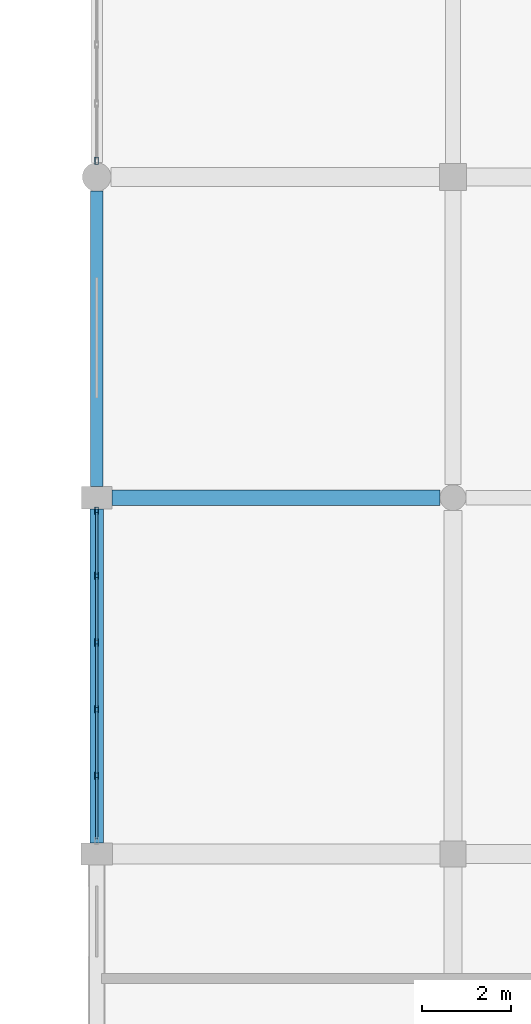
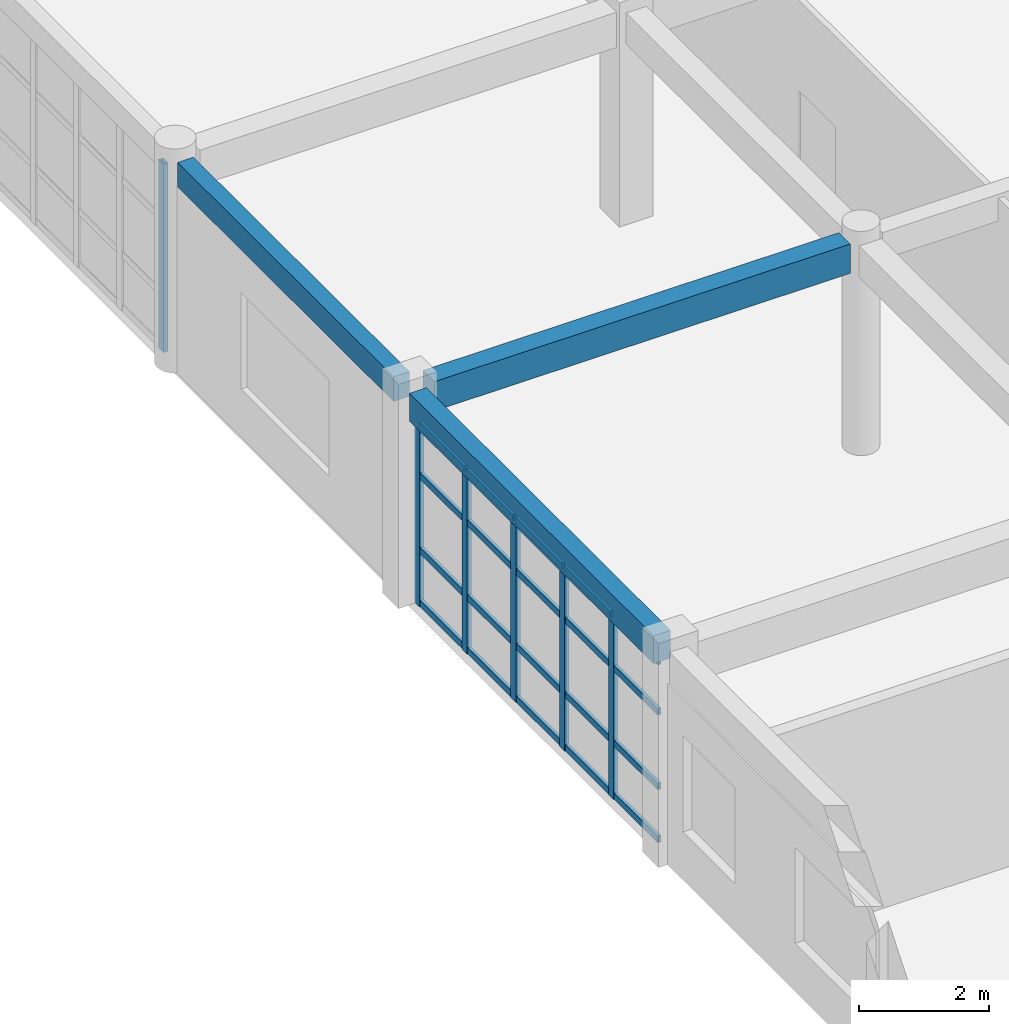
# One storey, part 24 of 53: 26 members, 3 beams, 2 elements without a shape of their own.
"""IFC4 building model written with IfcOpenShell, lengths in metres."""

from ifc_helpers import new_model, si_unit, direction, frame, origin, origin_2d, place, context, subcontext, project, spatial, rectangle, hollow_rectangle, extrude, material, material_profile, profile_set, type_object, element, aggregate, save


model = new_model("IFC4")

# Units and contexts
model_context = context("Model", 3, precision=1e-05, world=origin(), true_north=direction((0.0, 1.0)))
body_context = subcontext(model_context, "Body", "Model", "MODEL_VIEW")
ifc_project = project(units=[si_unit("LENGTHUNIT", "METRE"), si_unit("AREAUNIT", "SQUARE_METRE"), si_unit("VOLUMEUNIT", "CUBIC_METRE"), si_unit("PLANEANGLEUNIT", "RADIAN"), si_unit("MASSUNIT", "GRAM", prefix="KILO")], contexts=[model_context])

# Site, building, storey
site_placement = place(None, origin())
site = spatial("IfcSite", under=ifc_project, at=site_placement, CompositionType="ELEMENT")
building_placement = place(site_placement, origin())
building = spatial("IfcBuilding", under=site, at=building_placement, Name="Kharva Crest Polytechnic", CompositionType="ELEMENT")
storey_placement = place(building_placement, frame((0.0, 0.0, 17.39990234375)))
storey = spatial("IfcBuildingStorey", under=building, at=storey_placement, Name="L04", CompositionType="ELEMENT", Elevation=17.39990234375)

# Beam
ifc_material_1 = material(Name="Concrete C35/45", Category="concrete")
ifc_material_profile_1 = material_profile(ifc_material_1, rectangle(XDim=0.35009765625, YDim=0.550048828125, at=origin_2d()), Name="RECT 350 X 550")
ifc_profile_set_1 = profile_set([ifc_material_profile_1], Name="Concrete C35/45")
beam_type_1 = type_object("IfcBeamType", Name="BM-RC-350X550", PredefinedType="BEAM", material=ifc_profile_set_1)
beam_1_placement = place(storey_placement, frame((153.139892578125, 78.800048828125, 3.695068359375), z_axis=(1.0, 0.0, 0.0), x_axis=(0.0, 1.0, 0.0)))
element("IfcBeam", 1, at=beam_1_placement, inside=storey, type_object=beam_type_1, Name="L04 Beam L/20-21", PredefinedType="BEAM", context=body_context, shape_type="SweptSolid", body=[
    extrude(rectangle(XDim=0.35009765625, YDim=0.550048828125, at=origin_2d()), origin(), (0.0, 0.0, 1.0), 7.3701171875),
])

# Curtain wall, member
ifc_material_2 = material(Name="Tempered insulated glass", Category="glass")
curtain_wall_type = type_object("IfcCurtainWallType", Name="CW-SYS-STUDIO", PredefinedType="USERDEFINED", material=ifc_material_2)
curtain_wall_1_placement = place(storey_placement, origin())
curtain_wall_1 = element("IfcCurtainWall", 2, at=curtain_wall_1_placement, inside=storey, type_object=curtain_wall_type, Name="L04 Glazed Curtain Wall CW-182", ObjectType="CURTAIN WALL", PredefinedType="USERDEFINED")
ifc_material_3 = material(Name="Steel S355", Category="steel")
ifc_material_profile_2 = material_profile(ifc_material_3, hollow_rectangle(XDim=0.080078125, YDim=0.159912109375, WallThickness=0.0048828125, at=origin_2d()), Name="RHS 160X80X5.0")
ifc_profile_set_2 = profile_set([ifc_material_profile_2], Name="Steel S355")
member_type_1 = type_object("IfcMemberType", Name="CWM-RHS160X80", PredefinedType="MULLION", material=ifc_profile_set_2)
member_1_placement = place(storey_placement, frame((152.800048828125, 86.364990234375, 0.0), z_axis=(0.0, 0.0, 1.0), x_axis=(1.0, 0.0, 0.0)))
member_1 = element("IfcMember", 3, at=member_1_placement, type_object=member_type_1, Name="CW-182 mullion 6", PredefinedType="MULLION", context=body_context, shape_type="SweptSolid", body=[
    extrude(hollow_rectangle(XDim=0.080078125, YDim=0.159912109375, WallThickness=0.0048828125, at=origin_2d()), origin(), (0.0, 0.0, 1.0), 3.530029296875),
])
aggregate(curtain_wall_1, [member_1])

# Curtain wall, members
curtain_wall_2_placement = place(storey_placement, origin())
curtain_wall_2 = element("IfcCurtainWall", 4, at=curtain_wall_2_placement, inside=storey, type_object=curtain_wall_type, Name="L04 Glazed Curtain Wall CW-183", ObjectType="CURTAIN WALL", PredefinedType="USERDEFINED")
member_2_placement = place(storey_placement, frame((152.800048828125, 78.5048828125, 0.0), z_axis=(0.0, 0.0, 1.0), x_axis=(1.0, 0.0, 0.0)))
member_2 = element("IfcMember", 5, at=member_2_placement, type_object=member_type_1, Name="CW-183 mullion 1", PredefinedType="MULLION", context=body_context, shape_type="SweptSolid", body=[
    extrude(hollow_rectangle(XDim=0.080078125, YDim=0.159912109375, WallThickness=0.0048828125, at=origin_2d()), origin(), (0.0, 0.0, 1.0), 3.4501953125),
])
member_3_placement = place(storey_placement, frame((152.800048828125, 77.047119140625, 0.0), z_axis=(0.0, 0.0, 1.0), x_axis=(1.0, 0.0, 0.0)))
member_3 = element("IfcMember", 6, at=member_3_placement, type_object=member_type_1, Name="CW-183 mullion 2", PredefinedType="MULLION", context=body_context, shape_type="SweptSolid", body=[
    extrude(hollow_rectangle(XDim=0.080078125, YDim=0.159912109375, WallThickness=0.0048828125, at=origin_2d()), origin(), (0.0, 0.0, 1.0), 3.4501953125),
])
member_4_placement = place(storey_placement, frame((152.800048828125, 75.549072265625, 0.0), z_axis=(0.0, 0.0, 1.0), x_axis=(1.0, 0.0, 0.0)))
member_4 = element("IfcMember", 7, at=member_4_placement, type_object=member_type_1, Name="CW-183 mullion 3", PredefinedType="MULLION", context=body_context, shape_type="SweptSolid", body=[
    extrude(hollow_rectangle(XDim=0.080078125, YDim=0.159912109375, WallThickness=0.0048828125, at=origin_2d()), origin(), (0.0, 0.0, 1.0), 3.4501953125),
])
member_5_placement = place(storey_placement, frame((152.800048828125, 74.051025390625, 0.0), z_axis=(0.0, 0.0, 1.0), x_axis=(1.0, 0.0, 0.0)))
member_5 = element("IfcMember", 8, at=member_5_placement, type_object=member_type_1, Name="CW-183 mullion 4", PredefinedType="MULLION", context=body_context, shape_type="SweptSolid", body=[
    extrude(hollow_rectangle(XDim=0.080078125, YDim=0.159912109375, WallThickness=0.0048828125, at=origin_2d()), origin(), (0.0, 0.0, 1.0), 3.4501953125),
])
member_6_placement = place(storey_placement, frame((152.800048828125, 72.552978515625, 0.0), z_axis=(0.0, 0.0, 1.0), x_axis=(1.0, 0.0, 0.0)))
member_6 = element("IfcMember", 9, at=member_6_placement, type_object=member_type_1, Name="CW-183 mullion 5", PredefinedType="MULLION", context=body_context, shape_type="SweptSolid", body=[
    extrude(hollow_rectangle(XDim=0.080078125, YDim=0.159912109375, WallThickness=0.0048828125, at=origin_2d()), origin(), (0.0, 0.0, 1.0), 3.4501953125),
])
ifc_material_profile_3 = material_profile(ifc_material_3, hollow_rectangle(XDim=0.06005859375, YDim=0.1201171875, WallThickness=0.00390625, at=origin_2d()), Name="RHS 120X60X4.0")
ifc_profile_set_3 = profile_set([ifc_material_profile_3], Name="Steel S355")
member_type_2 = type_object("IfcMemberType", Name="CWT-RHS120X60", PredefinedType="USERDEFINED", material=ifc_profile_set_3)
member_7_placement = place(storey_placement, frame((152.800048828125, 78.465087890625, 0.06005859375), z_axis=(0.0, -1.0, 0.0), x_axis=(1.0, 0.0, 0.0)))
member_7 = element("IfcMember", 10, at=member_7_placement, type_object=member_type_2, Name="CW-183 transom 1.1", ObjectType="TRANSOM", PredefinedType="USERDEFINED", context=body_context, shape_type="SweptSolid", body=[
    extrude(hollow_rectangle(XDim=0.06005859375, YDim=0.1201171875, WallThickness=0.00390625, at=origin_2d()), origin(), (0.0, 0.0, 1.0), 1.378173828125),
])
member_8_placement = place(storey_placement, frame((152.800048828125, 78.465087890625, 1.050048828125), z_axis=(0.0, -1.0, 0.0), x_axis=(1.0, 0.0, 0.0)))
member_8 = element("IfcMember", 11, at=member_8_placement, type_object=member_type_2, Name="CW-183 transom 1.2", ObjectType="TRANSOM", PredefinedType="USERDEFINED", context=body_context, shape_type="SweptSolid", body=[
    extrude(hollow_rectangle(XDim=0.06005859375, YDim=0.1201171875, WallThickness=0.00390625, at=origin_2d()), origin(), (0.0, 0.0, 1.0), 1.378173828125),
])
member_9_placement = place(storey_placement, frame((152.800048828125, 78.465087890625, 2.4501953125), z_axis=(0.0, -1.0, 0.0), x_axis=(1.0, 0.0, 0.0)))
member_9 = element("IfcMember", 12, at=member_9_placement, type_object=member_type_2, Name="CW-183 transom 1.3", ObjectType="TRANSOM", PredefinedType="USERDEFINED", context=body_context, shape_type="SweptSolid", body=[
    extrude(hollow_rectangle(XDim=0.06005859375, YDim=0.1201171875, WallThickness=0.00390625, at=origin_2d()), origin(), (0.0, 0.0, 1.0), 1.378173828125),
])
member_10_placement = place(storey_placement, frame((152.800048828125, 78.465087890625, 3.39013671875), z_axis=(0.0, -1.0, 0.0), x_axis=(1.0, 0.0, 0.0)))
member_10 = element("IfcMember", 13, at=member_10_placement, type_object=member_type_2, Name="CW-183 transom 1.4", ObjectType="TRANSOM", PredefinedType="USERDEFINED", context=body_context, shape_type="SweptSolid", body=[
    extrude(hollow_rectangle(XDim=0.06005859375, YDim=0.1201171875, WallThickness=0.00390625, at=origin_2d()), origin(), (0.0, 0.0, 1.0), 1.378173828125),
])
member_11_placement = place(storey_placement, frame((152.800048828125, 77.007080078125, 0.06005859375), z_axis=(0.0, -1.0, 0.0), x_axis=(1.0, 0.0, 0.0)))
member_11 = element("IfcMember", 14, at=member_11_placement, type_object=member_type_2, Name="CW-183 transom 2.1", ObjectType="TRANSOM", PredefinedType="USERDEFINED", context=body_context, shape_type="SweptSolid", body=[
    extrude(hollow_rectangle(XDim=0.06005859375, YDim=0.1201171875, WallThickness=0.00390625, at=origin_2d()), origin(), (0.0, 0.0, 1.0), 1.41796875),
])
member_12_placement = place(storey_placement, frame((152.800048828125, 77.007080078125, 1.050048828125), z_axis=(0.0, -1.0, 0.0), x_axis=(1.0, 0.0, 0.0)))
member_12 = element("IfcMember", 15, at=member_12_placement, type_object=member_type_2, Name="CW-183 transom 2.2", ObjectType="TRANSOM", PredefinedType="USERDEFINED", context=body_context, shape_type="SweptSolid", body=[
    extrude(hollow_rectangle(XDim=0.06005859375, YDim=0.1201171875, WallThickness=0.00390625, at=origin_2d()), origin(), (0.0, 0.0, 1.0), 1.41796875),
])
member_13_placement = place(storey_placement, frame((152.800048828125, 77.007080078125, 2.4501953125), z_axis=(0.0, -1.0, 0.0), x_axis=(1.0, 0.0, 0.0)))
member_13 = element("IfcMember", 16, at=member_13_placement, type_object=member_type_2, Name="CW-183 transom 2.3", ObjectType="TRANSOM", PredefinedType="USERDEFINED", context=body_context, shape_type="SweptSolid", body=[
    extrude(hollow_rectangle(XDim=0.06005859375, YDim=0.1201171875, WallThickness=0.00390625, at=origin_2d()), origin(), (0.0, 0.0, 1.0), 1.41796875),
])
member_14_placement = place(storey_placement, frame((152.800048828125, 77.007080078125, 3.39013671875), z_axis=(0.0, -1.0, 0.0), x_axis=(1.0, 0.0, 0.0)))
member_14 = element("IfcMember", 17, at=member_14_placement, type_object=member_type_2, Name="CW-183 transom 2.4", ObjectType="TRANSOM", PredefinedType="USERDEFINED", context=body_context, shape_type="SweptSolid", body=[
    extrude(hollow_rectangle(XDim=0.06005859375, YDim=0.1201171875, WallThickness=0.00390625, at=origin_2d()), origin(), (0.0, 0.0, 1.0), 1.41796875),
])
member_15_placement = place(storey_placement, frame((152.800048828125, 75.509033203125, 0.06005859375), z_axis=(0.0, -1.0, 0.0), x_axis=(1.0, 0.0, 0.0)))
member_15 = element("IfcMember", 18, at=member_15_placement, type_object=member_type_2, Name="CW-183 transom 3.1", ObjectType="TRANSOM", PredefinedType="USERDEFINED", context=body_context, shape_type="SweptSolid", body=[
    extrude(hollow_rectangle(XDim=0.06005859375, YDim=0.1201171875, WallThickness=0.00390625, at=origin_2d()), origin(), (0.0, 0.0, 1.0), 1.41796875),
])
member_16_placement = place(storey_placement, frame((152.800048828125, 75.509033203125, 1.050048828125), z_axis=(0.0, -1.0, 0.0), x_axis=(1.0, 0.0, 0.0)))
member_16 = element("IfcMember", 19, at=member_16_placement, type_object=member_type_2, Name="CW-183 transom 3.2", ObjectType="TRANSOM", PredefinedType="USERDEFINED", context=body_context, shape_type="SweptSolid", body=[
    extrude(hollow_rectangle(XDim=0.06005859375, YDim=0.1201171875, WallThickness=0.00390625, at=origin_2d()), origin(), (0.0, 0.0, 1.0), 1.41796875),
])
member_17_placement = place(storey_placement, frame((152.800048828125, 75.509033203125, 2.4501953125), z_axis=(0.0, -1.0, 0.0), x_axis=(1.0, 0.0, 0.0)))
member_17 = element("IfcMember", 20, at=member_17_placement, type_object=member_type_2, Name="CW-183 transom 3.3", ObjectType="TRANSOM", PredefinedType="USERDEFINED", context=body_context, shape_type="SweptSolid", body=[
    extrude(hollow_rectangle(XDim=0.06005859375, YDim=0.1201171875, WallThickness=0.00390625, at=origin_2d()), origin(), (0.0, 0.0, 1.0), 1.41796875),
])
member_18_placement = place(storey_placement, frame((152.800048828125, 75.509033203125, 3.39013671875), z_axis=(0.0, -1.0, 0.0), x_axis=(1.0, 0.0, 0.0)))
member_18 = element("IfcMember", 21, at=member_18_placement, type_object=member_type_2, Name="CW-183 transom 3.4", ObjectType="TRANSOM", PredefinedType="USERDEFINED", context=body_context, shape_type="SweptSolid", body=[
    extrude(hollow_rectangle(XDim=0.06005859375, YDim=0.1201171875, WallThickness=0.00390625, at=origin_2d()), origin(), (0.0, 0.0, 1.0), 1.41796875),
])
member_19_placement = place(storey_placement, frame((152.800048828125, 74.010986328125, 0.06005859375), z_axis=(0.0, -1.0, 0.0), x_axis=(1.0, 0.0, 0.0)))
member_19 = element("IfcMember", 22, at=member_19_placement, type_object=member_type_2, Name="CW-183 transom 4.1", ObjectType="TRANSOM", PredefinedType="USERDEFINED", context=body_context, shape_type="SweptSolid", body=[
    extrude(hollow_rectangle(XDim=0.06005859375, YDim=0.1201171875, WallThickness=0.00390625, at=origin_2d()), origin(), (0.0, 0.0, 1.0), 1.41796875),
])
member_20_placement = place(storey_placement, frame((152.800048828125, 74.010986328125, 1.050048828125), z_axis=(0.0, -1.0, 0.0), x_axis=(1.0, 0.0, 0.0)))
member_20 = element("IfcMember", 23, at=member_20_placement, type_object=member_type_2, Name="CW-183 transom 4.2", ObjectType="TRANSOM", PredefinedType="USERDEFINED", context=body_context, shape_type="SweptSolid", body=[
    extrude(hollow_rectangle(XDim=0.06005859375, YDim=0.1201171875, WallThickness=0.00390625, at=origin_2d()), origin(), (0.0, 0.0, 1.0), 1.41796875),
])
member_21_placement = place(storey_placement, frame((152.800048828125, 74.010986328125, 2.4501953125), z_axis=(0.0, -1.0, 0.0), x_axis=(1.0, 0.0, 0.0)))
member_21 = element("IfcMember", 24, at=member_21_placement, type_object=member_type_2, Name="CW-183 transom 4.3", ObjectType="TRANSOM", PredefinedType="USERDEFINED", context=body_context, shape_type="SweptSolid", body=[
    extrude(hollow_rectangle(XDim=0.06005859375, YDim=0.1201171875, WallThickness=0.00390625, at=origin_2d()), origin(), (0.0, 0.0, 1.0), 1.41796875),
])
member_22_placement = place(storey_placement, frame((152.800048828125, 74.010986328125, 3.39013671875), z_axis=(0.0, -1.0, 0.0), x_axis=(1.0, 0.0, 0.0)))
member_22 = element("IfcMember", 25, at=member_22_placement, type_object=member_type_2, Name="CW-183 transom 4.4", ObjectType="TRANSOM", PredefinedType="USERDEFINED", context=body_context, shape_type="SweptSolid", body=[
    extrude(hollow_rectangle(XDim=0.06005859375, YDim=0.1201171875, WallThickness=0.00390625, at=origin_2d()), origin(), (0.0, 0.0, 1.0), 1.41796875),
])
member_23_placement = place(storey_placement, frame((152.800048828125, 72.512939453125, 0.06005859375), z_axis=(0.0, -1.0, 0.0), x_axis=(1.0, 0.0, 0.0)))
member_23 = element("IfcMember", 26, at=member_23_placement, type_object=member_type_2, Name="CW-183 transom 5.1", ObjectType="TRANSOM", PredefinedType="USERDEFINED", context=body_context, shape_type="SweptSolid", body=[
    extrude(hollow_rectangle(XDim=0.06005859375, YDim=0.1201171875, WallThickness=0.00390625, at=origin_2d()), origin(), (0.0, 0.0, 1.0), 1.3779296875),
])
member_24_placement = place(storey_placement, frame((152.800048828125, 72.512939453125, 1.050048828125), z_axis=(0.0, -1.0, 0.0), x_axis=(1.0, 0.0, 0.0)))
member_24 = element("IfcMember", 27, at=member_24_placement, type_object=member_type_2, Name="CW-183 transom 5.2", ObjectType="TRANSOM", PredefinedType="USERDEFINED", context=body_context, shape_type="SweptSolid", body=[
    extrude(hollow_rectangle(XDim=0.06005859375, YDim=0.1201171875, WallThickness=0.00390625, at=origin_2d()), origin(), (0.0, 0.0, 1.0), 1.3779296875),
])
member_25_placement = place(storey_placement, frame((152.800048828125, 72.512939453125, 2.4501953125), z_axis=(0.0, -1.0, 0.0), x_axis=(1.0, 0.0, 0.0)))
member_25 = element("IfcMember", 28, at=member_25_placement, type_object=member_type_2, Name="CW-183 transom 5.3", ObjectType="TRANSOM", PredefinedType="USERDEFINED", context=body_context, shape_type="SweptSolid", body=[
    extrude(hollow_rectangle(XDim=0.06005859375, YDim=0.1201171875, WallThickness=0.00390625, at=origin_2d()), origin(), (0.0, 0.0, 1.0), 1.3779296875),
])
member_26_placement = place(storey_placement, frame((152.800048828125, 72.512939453125, 3.39013671875), z_axis=(0.0, -1.0, 0.0), x_axis=(1.0, 0.0, 0.0)))
member_26 = element("IfcMember", 29, at=member_26_placement, type_object=member_type_2, Name="CW-183 transom 5.4", ObjectType="TRANSOM", PredefinedType="USERDEFINED", context=body_context, shape_type="SweptSolid", body=[
    extrude(hollow_rectangle(XDim=0.06005859375, YDim=0.1201171875, WallThickness=0.00390625, at=origin_2d()), origin(), (0.0, 0.0, 1.0), 1.3779296875),
])
aggregate(curtain_wall_2, [member_2, member_3, member_4, member_5, member_6, member_7, member_8, member_9, member_10, member_11, member_12, member_13, member_14, member_15, member_16, member_17, member_18, member_19, member_20, member_21, member_22, member_23, member_24, member_25, member_26])

# Beams
ifc_material_profile_4 = material_profile(ifc_material_1, rectangle(XDim=0.280029296875, YDim=0.4599609375, at=origin_2d()), Name="RECT 280 X 460")
ifc_profile_set_4 = profile_set([ifc_material_profile_4], Name="Concrete C35/45")
beam_type_2 = type_object("IfcBeamType", Name="SP-RC-280X460", PredefinedType="SPANDREL", material=ifc_profile_set_4)
beam_2_placement = place(storey_placement, frame((152.800048828125, 79.050048828125, 3.739990234375), z_axis=(0.0, 1.0, 0.0), x_axis=(-1.0, 0.0, 0.0)))
element("IfcBeam", 30, at=beam_2_placement, inside=storey, type_object=beam_type_2, Name="L04 Girder 20/L-M", PredefinedType="SPANDREL", context=body_context, shape_type="SweptSolid", body=[
    extrude(rectangle(XDim=0.280029296875, YDim=0.4599609375, at=origin_2d()), origin(), (0.0, 0.0, 1.0), 6.6298828125),
])
ifc_material_profile_5 = material_profile(ifc_material_1, rectangle(XDim=0.300048828125, YDim=0.52001953125, at=origin_2d()), Name="RECT 300 X 520")
ifc_profile_set_5 = profile_set([ifc_material_profile_5], Name="Concrete C35/45")
beam_type_3 = type_object("IfcBeamType", Name="SP-RC-300X520", PredefinedType="SPANDREL", material=ifc_profile_set_5)
beam_3_placement = place(storey_placement, frame((152.800048828125, 71.050048828125, 3.710205078125), z_axis=(0.0, 1.0, 0.0), x_axis=(-1.0, 0.0, 0.0)))
element("IfcBeam", 31, at=beam_3_placement, inside=storey, type_object=beam_type_3, Name="L04 Girder 20/K-L", PredefinedType="SPANDREL", context=body_context, shape_type="SweptSolid", body=[
    extrude(rectangle(XDim=0.300048828125, YDim=0.52001953125, at=origin_2d()), origin(), (0.0, 0.0, 1.0), 7.5),
])

save(model, "model.ifc")
